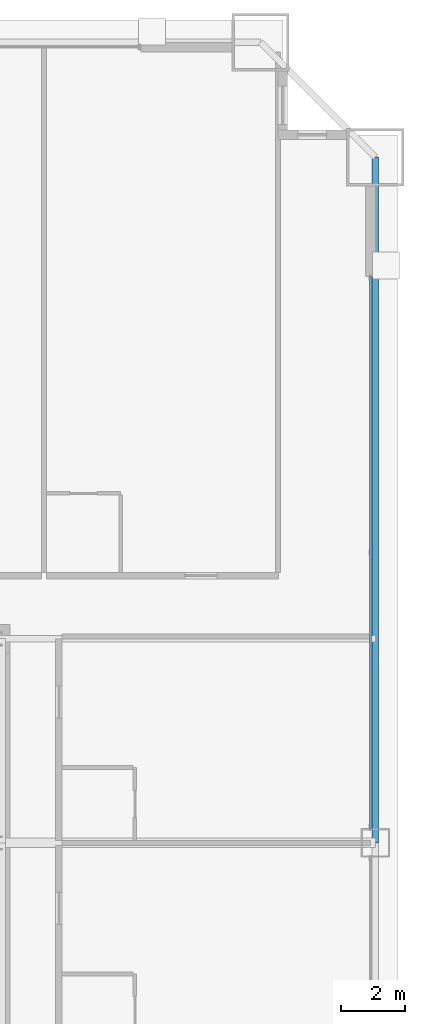
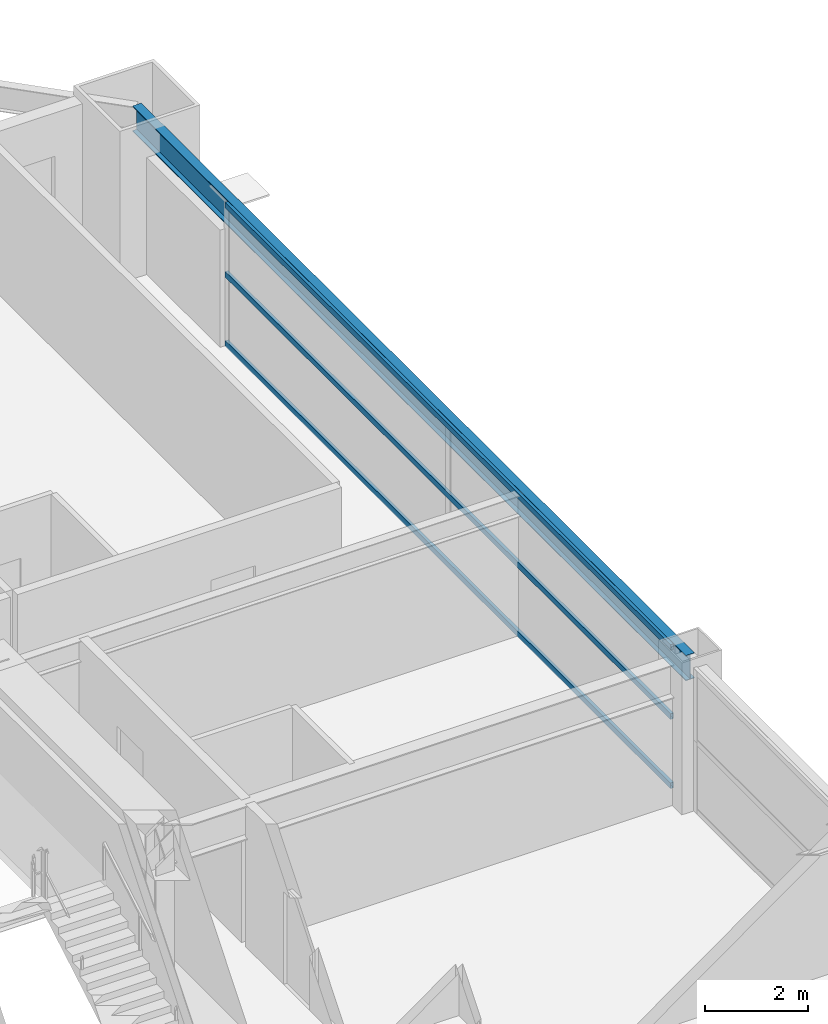
# One storey, part 34 of 45: 3 members, 1 beam, 1 element without a shape of its own.
"""IFC4 building model written with IfcOpenShell, lengths in metres."""

from ifc_helpers import new_model, si_unit, direction, frame, origin, origin_2d, place, context, subcontext, project, spatial, hollow_rectangle, i_section, extrude, source, transform, mapped, material, layer, layer_set, material_profile, profile_set, type_object, element, aggregate, save


model = new_model("IFC4")

# Units and contexts
model_context = context("Model", 3, precision=1e-05, world=origin(), true_north=direction((0.0, 1.0)))
body_context = subcontext(model_context, "Body", "Model", "MODEL_VIEW")
ifc_project = project(units=[si_unit("LENGTHUNIT", "METRE"), si_unit("AREAUNIT", "SQUARE_METRE"), si_unit("VOLUMEUNIT", "CUBIC_METRE"), si_unit("PLANEANGLEUNIT", "RADIAN"), si_unit("MASSUNIT", "GRAM", prefix="KILO"), si_unit("THERMODYNAMICTEMPERATUREUNIT", "KELVIN"), si_unit("POWERUNIT", "WATT")], contexts=[model_context])

# Site, building, storey
site_placement = place(None, origin())
site = spatial("IfcSite", under=ifc_project, at=site_placement, CompositionType="ELEMENT")
building_placement = place(site_placement, origin())
building = spatial("IfcBuilding", under=site, at=building_placement, Name="Yuzanri Waterfront Tower", CompositionType="ELEMENT")
storey_placement = place(building_placement, frame((0.0, 0.0, 34.199951171875)))
storey = spatial("IfcBuildingStorey", under=building, at=storey_placement, Name="L08", CompositionType="ELEMENT", Elevation=34.199951171875)

# Beam
ifc_material_1 = material(Name="Steel Q355B", Category="steel")
ifc_material_profile_1 = material_profile(ifc_material_1, i_section(OverallWidth=0.199951171875, OverallDepth=0.60009765625, WebThickness=0.010986328125, FlangeThickness=0.01708984375, at=origin_2d()), Name="HN 600x200x11x17")
ifc_profile_set_1 = profile_set([ifc_material_profile_1], Name="Steel Q355B")
beam_type = type_object("IfcBeamType", Name="Perimeter Spandrel Q355B HN 600x200", PredefinedType="SPANDREL", material=ifc_profile_set_1)
shared_shape_1 = source(origin(), body_context, "Body", "SweptSolid", [
    extrude(i_section(OverallWidth=0.199951171875, OverallDepth=0.60009765625, WebThickness=0.010986328125, FlangeThickness=0.01708984375, at=origin_2d()), origin(), (0.0, 0.0, 1.0), 21.5),
])
beam_placement = place(storey_placement, frame((62.10009765625, 25.800048828125, 3.080078125), z_axis=(0.0, 1.0, 0.0), x_axis=(-1.0, 0.0, 0.0)))
element("IfcBeam", 1, at=beam_placement, inside=storey, type_object=beam_type, Name="L08 Perimeter Spandrel E2-E3", PredefinedType="SPANDREL", context=body_context, shape_type="MappedRepresentation", body=[
    mapped(shared_shape_1, transform((0.0, 0.0, 0.0), scale=1.0)),
])

# Curtain wall, members
ifc_material_2 = material(Name="Anodized Architectural Bronze", Category="metal")
ifc_layer = layer(ifc_material_2, 0.159912109375)
ifc_layer_set = layer_set([ifc_layer], Name="Anodized Architectural Bronze")
curtain_wall_type = type_object("IfcCurtainWallType", Name="Anodized Bronze Hotel Lower-Tier Recessed Unitized Curtain Wall 8100", PredefinedType="NOTDEFINED", material=ifc_layer_set)
curtain_wall_placement = place(storey_placement, origin())
curtain_wall = element("IfcCurtainWall", 2, at=curtain_wall_placement, inside=storey, type_object=curtain_wall_type, Name="L08 Curtain Wall CW-L08-ER", PredefinedType="NOTDEFINED")
ifc_material_3 = material(Name="Anodized Architectural Bronze", Category="metal")
ifc_material_profile_2 = material_profile(ifc_material_3, hollow_rectangle(XDim=0.070068359375, YDim=0.135009765625, WallThickness=0.00341796875, at=origin_2d()), Name="CWT 70x135")
ifc_profile_set_2 = profile_set([ifc_material_profile_2], Name="Anodized Architectural Bronze")
member_type = type_object("IfcMemberType", Name="Anodized Bronze Standard Curtain-Wall Transom 70x135", PredefinedType="USERDEFINED", material=ifc_profile_set_2)
shared_shape_2 = source(origin(), body_context, "Body", "SweptSolid", [
    extrude(hollow_rectangle(XDim=0.070068359375, YDim=0.135009765625, WallThickness=0.00341796875, at=origin_2d()), origin(), (0.0, 0.0, 1.0), 17.300048828125),
])
member_1_placement = place(storey_placement, frame((61.949951171875, 26.25, 0.050048828125), z_axis=(0.0, 1.0, 0.0), x_axis=(-1.0, 0.0, 0.0)))
member_1 = element("IfcMember", 3, at=member_1_placement, type_object=member_type, Name="CW-L08-ER Transom 1", ObjectType="TRANSOM", PredefinedType="USERDEFINED", context=body_context, shape_type="MappedRepresentation", body=[
    mapped(shared_shape_2, transform((0.0, 0.0, 0.0), scale=1.0)),
])
member_2_placement = place(storey_placement, frame((61.949951171875, 26.25, 1.68994140625), z_axis=(0.0, 1.0, 0.0), x_axis=(-1.0, 0.0, 0.0)))
member_2 = element("IfcMember", 4, at=member_2_placement, type_object=member_type, Name="CW-L08-ER Transom 2", ObjectType="TRANSOM", PredefinedType="USERDEFINED", context=body_context, shape_type="MappedRepresentation", body=[
    mapped(shared_shape_2, transform((0.0, 0.0, 0.0), scale=1.0)),
])
member_3_placement = place(storey_placement, frame((61.949951171875, 26.25, 3.330078125), z_axis=(0.0, 1.0, 0.0), x_axis=(-1.0, 0.0, 0.0)))
member_3 = element("IfcMember", 5, at=member_3_placement, type_object=member_type, Name="CW-L08-ER Transom 3", ObjectType="TRANSOM", PredefinedType="USERDEFINED", context=body_context, shape_type="MappedRepresentation", body=[
    mapped(shared_shape_2, transform((0.0, 0.0, 0.0), scale=1.0)),
])
aggregate(curtain_wall, [member_1, member_2, member_3])

save(model, "model.ifc")
